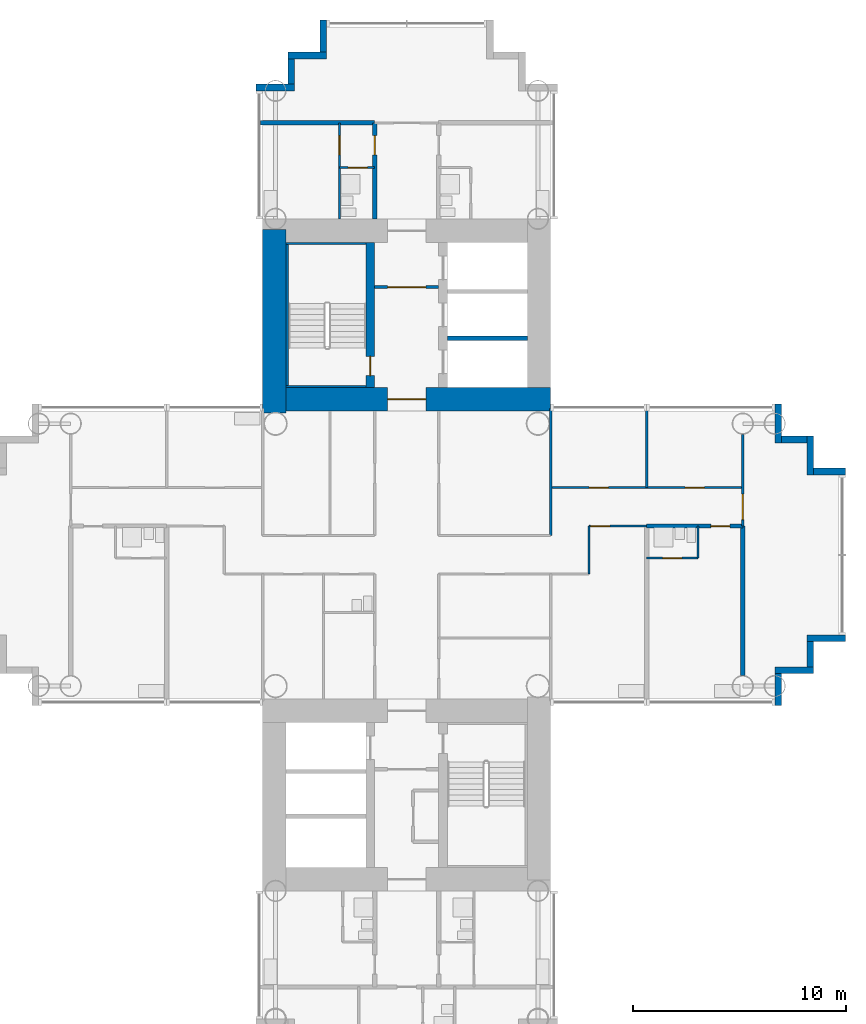
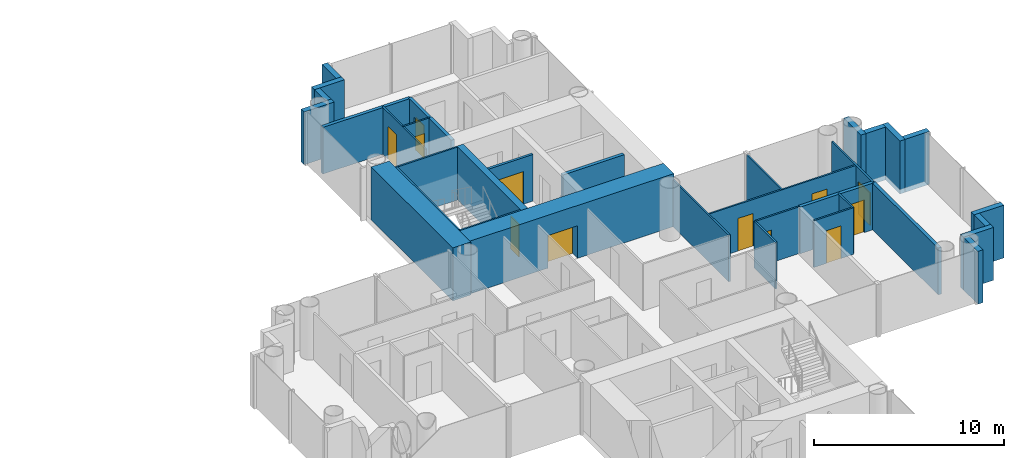
# One storey, part 14 of 21: 34 walls, 12 doors, 12 openings.
"""IFC4 building model written with IfcOpenShell, lengths in metres."""

from ifc_helpers import new_model, si_unit, direction, frame, frame_2d, origin, place, context, subcontext, project, spatial, rectangle, extrude, material, layer, layer_set, type_object, element, fill, save


model = new_model("IFC4")

# Units and contexts
model_context = context("Model", 3, precision=1e-05, world=origin(), true_north=direction((0.0, 1.0)))
body_context = subcontext(model_context, "Body", "Model", "MODEL_VIEW")
ifc_project = project(units=[si_unit("LENGTHUNIT", "METRE"), si_unit("AREAUNIT", "SQUARE_METRE"), si_unit("VOLUMEUNIT", "CUBIC_METRE"), si_unit("PLANEANGLEUNIT", "RADIAN"), si_unit("MASSUNIT", "GRAM", prefix="KILO")], contexts=[model_context])

# Site, building, storey
site_placement = place(None, origin())
site = spatial("IfcSite", under=ifc_project, at=site_placement, CompositionType="ELEMENT")
building_placement = place(site_placement, origin())
building = spatial("IfcBuilding", under=site, at=building_placement, Name="Ipe Terrace Towers", CompositionType="ELEMENT")
storey_placement = place(building_placement, frame((0.0, 0.0, 48.300048828125)))
storey = spatial("IfcBuildingStorey", under=building, at=storey_placement, Name="L12", CompositionType="ELEMENT", Elevation=48.300048828125)

# Walls
ifc_material_1 = material(Name="Concrete C40/50 with buff precast cladding", Category="concrete")
ifc_layer_1 = layer(ifc_material_1, 0.320068359375)
ifc_layer_set_1 = layer_set([ifc_layer_1], Name="BUFF CLADDING WALL 320")
wall_type_1 = type_object("IfcWallType", Name="BUFF CLADDING WALL 320", PredefinedType="STANDARD", material=ifc_layer_set_1)
wall_1_placement = place(storey_placement, frame((53.409912109375, -7.070068359375, -0.300048828125), z_axis=(0.0, 0.0, 1.0), x_axis=(0.0, 1.0, 0.0)))
element("IfcWall", 1, at=wall_1_placement, inside=storey, type_object=wall_type_1, Name="T2-W-L12-08a wall", PredefinedType="STANDARD", context=body_context, shape_type="SweptSolid", body=[
    extrude(rectangle(XDim=1.5, YDim=0.320068359375, at=frame_2d((0.75, 0.0))), origin(), (0.0, 0.0, 1.0), 3.39990234375),
])
wall_2_placement = place(storey_placement, frame((53.25, -5.409912109375, -0.300048828125), z_axis=(0.0, 0.0, 1.0), x_axis=(1.0, 0.0, 0.0)))
element("IfcWall", 2, at=wall_2_placement, inside=storey, type_object=wall_type_1, Name="T2-W-L12-09a wall", PredefinedType="STANDARD", context=body_context, shape_type="SweptSolid", body=[
    extrude(rectangle(XDim=1.820068359375, YDim=0.320068359375, at=frame_2d((0.91015625, 0.0))), origin(), (0.0, 0.0, 1.0), 3.39990234375),
])
wall_3_placement = place(storey_placement, frame((54.909912109375, -5.25, -0.300048828125), z_axis=(0.0, 0.0, 1.0), x_axis=(0.0, 1.0, 0.0)))
element("IfcWall", 3, at=wall_3_placement, inside=storey, type_object=wall_type_1, Name="T2-W-L12-10a wall", PredefinedType="STANDARD", context=body_context, shape_type="SweptSolid", body=[
    extrude(rectangle(XDim=1.179931640625, YDim=0.320068359375, at=frame_2d((0.58984375, 0.0))), origin(), (0.0, 0.0, 1.0), 3.39990234375),
])
wall_4_placement = place(storey_placement, frame((54.75, -3.909912109375, -0.300048828125), z_axis=(0.0, 0.0, 1.0), x_axis=(1.0, 0.0, 0.0)))
element("IfcWall", 4, at=wall_4_placement, inside=storey, type_object=wall_type_1, Name="T2-W-L12-11a wall", PredefinedType="STANDARD", context=body_context, shape_type="SweptSolid", body=[
    extrude(rectangle(XDim=1.820068359375, YDim=0.320068359375, at=frame_2d((0.91015625, 0.0))), origin(), (0.0, 0.0, 1.0), 3.39990234375),
])
wall_5_placement = place(storey_placement, frame((56.570068359375, 3.909912109375, -0.300048828125), z_axis=(0.0, 0.0, 1.0), x_axis=(-1.0, 0.0, 0.0)))
element("IfcWall", 5, at=wall_5_placement, inside=storey, type_object=wall_type_1, Name="T2-W-L12-13a wall", PredefinedType="STANDARD", context=body_context, shape_type="SweptSolid", body=[
    extrude(rectangle(XDim=1.5, YDim=0.320068359375, at=frame_2d((0.75, 0.0))), origin(), (0.0, 0.0, 1.0), 3.39990234375),
])
wall_6_placement = place(storey_placement, frame((54.909912109375, 3.75, -0.300048828125), z_axis=(0.0, 0.0, 1.0), x_axis=(0.0, 1.0, 0.0)))
element("IfcWall", 6, at=wall_6_placement, inside=storey, type_object=wall_type_1, Name="T2-W-L12-14a wall", PredefinedType="STANDARD", context=body_context, shape_type="SweptSolid", body=[
    extrude(rectangle(XDim=1.820068359375, YDim=0.320068359375, at=frame_2d((0.91015625, 0.0))), origin(), (0.0, 0.0, 1.0), 3.39990234375),
])
wall_7_placement = place(storey_placement, frame((54.75, 5.409912109375, -0.300048828125), z_axis=(0.0, 0.0, 1.0), x_axis=(-1.0, 0.0, 0.0)))
element("IfcWall", 7, at=wall_7_placement, inside=storey, type_object=wall_type_1, Name="T2-W-L12-15a wall", PredefinedType="STANDARD", context=body_context, shape_type="SweptSolid", body=[
    extrude(rectangle(XDim=1.179931640625, YDim=0.320068359375, at=frame_2d((0.58984375, 0.0))), origin(), (0.0, 0.0, 1.0), 3.39990234375),
])
wall_8_placement = place(storey_placement, frame((53.409912109375, 5.25, -0.300048828125), z_axis=(0.0, 0.0, 1.0), x_axis=(0.0, 1.0, 0.0)))
element("IfcWall", 8, at=wall_8_placement, inside=storey, type_object=wall_type_1, Name="T2-W-L12-16a wall", PredefinedType="STANDARD", context=body_context, shape_type="SweptSolid", body=[
    extrude(rectangle(XDim=1.820068359375, YDim=0.320068359375, at=frame_2d((0.91015625, 0.0))), origin(), (0.0, 0.0, 1.0), 3.39990234375),
])
wall_9_placement = place(storey_placement, frame((32.090087890625, 25.070068359375, -0.300048828125), z_axis=(0.0, 0.0, 1.0), x_axis=(0.0, -1.0, 0.0)))
element("IfcWall", 9, at=wall_9_placement, inside=storey, type_object=wall_type_1, Name="T2-W-L12-26a wall", PredefinedType="STANDARD", context=body_context, shape_type="SweptSolid", body=[
    extrude(rectangle(XDim=1.5, YDim=0.320068359375, at=frame_2d((0.75, 0.0))), origin(), (0.0, 0.0, 1.0), 3.39990234375),
])
wall_10_placement = place(storey_placement, frame((32.25, 23.409912109375, -0.300048828125), z_axis=(0.0, 0.0, 1.0), x_axis=(-1.0, 0.0, 0.0)))
element("IfcWall", 10, at=wall_10_placement, inside=storey, type_object=wall_type_1, Name="T2-W-L12-27a wall", PredefinedType="STANDARD", context=body_context, shape_type="SweptSolid", body=[
    extrude(rectangle(XDim=1.820068359375, YDim=0.320068359375, at=frame_2d((0.91015625, 0.0))), origin(), (0.0, 0.0, 1.0), 3.39990234375),
])
wall_11_placement = place(storey_placement, frame((30.590087890625, 23.25, -0.300048828125), z_axis=(0.0, 0.0, 1.0), x_axis=(0.0, -1.0, 0.0)))
element("IfcWall", 11, at=wall_11_placement, inside=storey, type_object=wall_type_1, Name="T2-W-L12-28a wall", PredefinedType="STANDARD", context=body_context, shape_type="SweptSolid", body=[
    extrude(rectangle(XDim=1.179931640625, YDim=0.320068359375, at=frame_2d((0.58984375, 0.0))), origin(), (0.0, 0.0, 1.0), 3.39990234375),
])
wall_12_placement = place(storey_placement, frame((30.75, 21.909912109375, -0.300048828125), z_axis=(0.0, 0.0, 1.0), x_axis=(-1.0, 0.0, 0.0)))
element("IfcWall", 12, at=wall_12_placement, inside=storey, type_object=wall_type_1, Name="T2-W-L12-29a wall", PredefinedType="STANDARD", context=body_context, shape_type="SweptSolid", body=[
    extrude(rectangle(XDim=1.820068359375, YDim=0.320068359375, at=frame_2d((0.91015625, 0.0))), origin(), (0.0, 0.0, 1.0), 3.39990234375),
])

# Wall, opening, door
ifc_material_2 = material(Name="Gypsum board partition", Category="plasterboard")
ifc_layer_2 = layer(ifc_material_2, 0.10009765625)
ifc_layer_set_2 = layer_set([ifc_layer_2], Name="Gypsum board partition 100 mm")
wall_type_2 = type_object("IfcWallType", Name="Gypsum board partition 100 mm", PredefinedType="PARTITIONING", material=ifc_layer_set_2)
wall_13_placement = place(storey_placement, frame((49.64990234375, -0.14990234375, 0.0), z_axis=(0.0, 0.0, 1.0), x_axis=(-1.0, 0.0, 0.0)))
wall_13 = element("IfcWall", 13, at=wall_13_placement, inside=storey, type_object=wall_type_2, Name="Gypsum board partition T2 L12 W09", PredefinedType="PARTITIONING", context=body_context, shape_type="SweptSolid", body=[
    extrude(rectangle(XDim=2.39990234375, YDim=0.10009765625, at=frame_2d((1.199951171875, 0.0))), origin(), (0.0, 0.0, 1.0), 3.0),
])
opening_1_placement = place(wall_13_placement, frame((0.75, 0.0, 0.0)))
opening_1 = element("IfcOpeningElement", 14, at=opening_1_placement, cuts=wall_13, Name="Opening T2-Z1C-19", PredefinedType="OPENING", context=body_context, shape_type="SweptSolid", body=[
    extrude(rectangle(XDim=0.89990234375, YDim=2.10009765625, at=frame_2d((0.449951171875, 1.050048828125))), frame((0.0, 0.06005859375, 0.0), z_axis=(0.0, -1.0, 0.0), x_axis=(1.0, 0.0, 0.0)), (0.0, 0.0, 1.0), 0.1201171875),
])
ifc_material_3 = material(Name="Timber door leaf", Category="wood")
door_type_1 = type_object("IfcDoorType", Name="Bathroom door 900 x 2100", OperationType="NOTDEFINED", PredefinedType="DOOR", material=ifc_material_3)
door_1_placement = place(opening_1_placement, origin())
door_1 = element("IfcDoor", 15, at=door_1_placement, inside=storey, type_object=door_type_1, Name="Bathroom door T2-Z1C-19", OperationType="SINGLE_SWING_RIGHT", OverallHeight=2.10009765625, OverallWidth=0.89990234375, PredefinedType="DOOR", context=body_context, shape_type="SweptSolid", body=[
    extrude(rectangle(XDim=0.89990234375, YDim=2.10009765625, at=frame_2d((0.449951171875, 1.050048828125))), frame((0.0, 0.02490234375, 0.0), z_axis=(0.0, -1.0, 0.0), x_axis=(1.0, 0.0, 0.0)), (0.0, 0.0, 1.0), 0.050048828125),
])
fill(opening_1, door_1)

wall_14_placement = place(storey_placement, frame((47.25, 1.35009765625, 0.0), z_axis=(0.0, 0.0, 1.0), x_axis=(-1.0, 0.0, 0.0)))
wall_14 = element("IfcWall", 16, at=wall_14_placement, inside=storey, type_object=wall_type_2, Name="Gypsum board partition T2 L12 W13", PredefinedType="PARTITIONING", context=body_context, shape_type="SweptSolid", body=[
    extrude(rectangle(XDim=2.699951171875, YDim=0.10009765625, at=frame_2d((1.35009765625, 0.0))), origin(), (0.0, 0.0, 1.0), 3.0),
])
opening_2_placement = place(wall_14_placement, frame((1.72998046875, 0.0, 0.0)))
opening_2 = element("IfcOpeningElement", 17, at=opening_2_placement, cuts=wall_14, Name="Opening T2-Z1C-17", PredefinedType="OPENING", context=body_context, shape_type="SweptSolid", body=[
    extrude(rectangle(XDim=0.89990234375, YDim=2.10009765625, at=frame_2d((0.449951171875, 1.050048828125))), frame((0.0, 0.06005859375, 0.0), z_axis=(0.0, -1.0, 0.0), x_axis=(1.0, 0.0, 0.0)), (0.0, 0.0, 1.0), 0.1201171875),
])
ifc_material_4 = material(Name="Timber door leaf", Category="wood")
door_type_2 = type_object("IfcDoorType", Name="Lounge door 900 x 2100", OperationType="NOTDEFINED", PredefinedType="DOOR", material=ifc_material_4)
door_2_placement = place(opening_2_placement, origin())
door_2 = element("IfcDoor", 18, at=door_2_placement, inside=storey, type_object=door_type_2, Name="Lounge door T2-Z1C-17", OperationType="SINGLE_SWING_LEFT", OverallHeight=2.10009765625, OverallWidth=0.89990234375, PredefinedType="DOOR", context=body_context, shape_type="SweptSolid", body=[
    extrude(rectangle(XDim=0.89990234375, YDim=2.10009765625, at=frame_2d((0.449951171875, 1.050048828125))), frame((0.0, 0.02490234375, 0.0), z_axis=(0.0, -1.0, 0.0), x_axis=(1.0, 0.0, 0.0)), (0.0, 0.0, 1.0), 0.050048828125),
])
fill(opening_2, door_2)

# Wall, openings, doors
wall_15_placement = place(storey_placement, frame((51.75, 3.14990234375, 0.0), z_axis=(0.0, 0.0, 1.0), x_axis=(-1.0, 0.0, 0.0)))
wall_15 = element("IfcWall", 19, at=wall_15_placement, inside=storey, type_object=wall_type_2, Name="Gypsum board partition T2 L12 W17", PredefinedType="PARTITIONING", context=body_context, shape_type="SweptSolid", body=[
    extrude(rectangle(XDim=9.0, YDim=0.10009765625, at=frame_2d((4.5, 0.0))), origin(), (0.0, 0.0, 1.0), 3.0),
])
opening_3_placement = place(wall_15_placement, frame((6.300048828125, 0.0, 0.0)))
opening_3 = element("IfcOpeningElement", 20, at=opening_3_placement, cuts=wall_15, Name="Opening T2-Z1C-15", PredefinedType="OPENING", context=body_context, shape_type="SweptSolid", body=[
    extrude(rectangle(XDim=0.89990234375, YDim=2.10009765625, at=frame_2d((0.449951171875, 1.050048828125))), frame((0.0, 0.06005859375, 0.0), z_axis=(0.0, -1.0, 0.0), x_axis=(1.0, 0.0, 0.0)), (0.0, 0.0, 1.0), 0.1201171875),
])
opening_4_placement = place(wall_15_placement, frame((1.800048828125, 0.0, 0.0)))
opening_4 = element("IfcOpeningElement", 21, at=opening_4_placement, cuts=wall_15, Name="Opening T2-Z1C-16", PredefinedType="OPENING", context=body_context, shape_type="SweptSolid", body=[
    extrude(rectangle(XDim=0.89990234375, YDim=2.10009765625, at=frame_2d((0.449951171875, 1.050048828125))), frame((0.0, 0.06005859375, 0.0), z_axis=(0.0, -1.0, 0.0), x_axis=(1.0, 0.0, 0.0)), (0.0, 0.0, 1.0), 0.1201171875),
])
door_3_placement = place(opening_3_placement, origin())
door_3 = element("IfcDoor", 22, at=door_3_placement, inside=storey, type_object=door_type_2, Name="Lounge door T2-Z1C-15", OperationType="SINGLE_SWING_RIGHT", OverallHeight=2.10009765625, OverallWidth=0.89990234375, PredefinedType="DOOR", context=body_context, shape_type="SweptSolid", body=[
    extrude(rectangle(XDim=0.89990234375, YDim=2.10009765625, at=frame_2d((0.449951171875, 1.050048828125))), frame((0.0, 0.02490234375, 0.0), z_axis=(0.0, -1.0, 0.0), x_axis=(1.0, 0.0, 0.0)), (0.0, 0.0, 1.0), 0.050048828125),
])
fill(opening_3, door_3)
door_4_placement = place(opening_4_placement, origin())
door_4 = element("IfcDoor", 23, at=door_4_placement, inside=storey, type_object=door_type_2, Name="Lounge door T2-Z1C-16", OperationType="SINGLE_SWING_LEFT", OverallHeight=2.10009765625, OverallWidth=0.89990234375, PredefinedType="DOOR", context=body_context, shape_type="SweptSolid", body=[
    extrude(rectangle(XDim=0.89990234375, YDim=2.10009765625, at=frame_2d((0.449951171875, 1.050048828125))), frame((0.0, 0.02490234375, 0.0), z_axis=(0.0, -1.0, 0.0), x_axis=(1.0, 0.0, 0.0)), (0.0, 0.0, 1.0), 0.050048828125),
])
fill(opening_4, door_4)

# Wall, opening, door
wall_16_placement = place(storey_placement, frame((34.5, 18.14990234375, 0.0), z_axis=(0.0, 0.0, 1.0), x_axis=(-1.0, 0.0, 0.0)))
wall_16 = element("IfcWall", 24, at=wall_16_placement, inside=storey, type_object=wall_type_2, Name="Gypsum board partition T2 L12 W20", PredefinedType="PARTITIONING", context=body_context, shape_type="SweptSolid", body=[
    extrude(rectangle(XDim=1.64990234375, YDim=0.10009765625, at=frame_2d((0.824951171875, 0.0))), origin(), (0.0, 0.0, 1.0), 3.0),
])
opening_5_placement = place(wall_16_placement, frame((0.35009765625, 0.0, 0.0)))
opening_5 = element("IfcOpeningElement", 25, at=opening_5_placement, cuts=wall_16, Name="Opening T2-Z1C-23", PredefinedType="OPENING", context=body_context, shape_type="SweptSolid", body=[
    extrude(rectangle(XDim=0.89990234375, YDim=2.10009765625, at=frame_2d((0.449951171875, 1.050048828125))), frame((0.0, 0.06005859375, 0.0), z_axis=(0.0, -1.0, 0.0), x_axis=(1.0, 0.0, 0.0)), (0.0, 0.0, 1.0), 0.1201171875),
])
door_5_placement = place(opening_5_placement, origin())
door_5 = element("IfcDoor", 26, at=door_5_placement, inside=storey, type_object=door_type_1, Name="Bathroom door T2-Z1C-23", OperationType="SINGLE_SWING_RIGHT", OverallHeight=2.10009765625, OverallWidth=0.89990234375, PredefinedType="DOOR", context=body_context, shape_type="SweptSolid", body=[
    extrude(rectangle(XDim=0.89990234375, YDim=2.10009765625, at=frame_2d((0.449951171875, 1.050048828125))), frame((0.0, 0.02490234375, 0.0), z_axis=(0.0, -1.0, 0.0), x_axis=(1.0, 0.0, 0.0)), (0.0, 0.0, 1.0), 0.050048828125),
])
fill(opening_5, door_5)

wall_17_placement = place(storey_placement, frame((51.75, 1.35009765625, 0.0), z_axis=(0.0, 0.0, 1.0), x_axis=(0.0, 1.0, 0.0)))
wall_17 = element("IfcWall", 27, at=wall_17_placement, inside=storey, type_object=wall_type_2, Name="Gypsum board partition T2 L12 W24", PredefinedType="PARTITIONING", context=body_context, shape_type="SweptSolid", body=[
    extrude(rectangle(XDim=4.2998046875, YDim=0.10009765625, at=frame_2d((2.14990234375, 0.0))), origin(), (0.0, 0.0, 1.0), 3.0),
])
opening_6_placement = place(wall_17_placement, frame((0.300048828125, 0.0, 0.0)))
opening_6 = element("IfcOpeningElement", 28, at=opening_6_placement, cuts=wall_17, Name="Opening T2-Z1C-20", PredefinedType="OPENING", context=body_context, shape_type="SweptSolid", body=[
    extrude(rectangle(XDim=1.199951171875, YDim=2.10009765625, at=frame_2d((0.60009765625, 1.050048828125))), frame((0.0, 0.06005859375, 0.0), z_axis=(0.0, -1.0, 0.0), x_axis=(1.0, 0.0, 0.0)), (0.0, 0.0, 1.0), 0.1201171875),
])
ifc_material_5 = material(Name="Timber door leaf", Category="wood")
door_type_3 = type_object("IfcDoorType", Name="Lounge door 1200 x 2100", OperationType="NOTDEFINED", PredefinedType="DOOR", material=ifc_material_5)
door_6_placement = place(opening_6_placement, origin())
door_6 = element("IfcDoor", 29, at=door_6_placement, inside=storey, type_object=door_type_3, Name="Lounge door T2-Z1C-20", OperationType="SINGLE_SWING_LEFT", OverallHeight=2.10009765625, OverallWidth=1.199951171875, PredefinedType="DOOR", context=body_context, shape_type="SweptSolid", body=[
    extrude(rectangle(XDim=1.199951171875, YDim=2.10009765625, at=frame_2d((0.60009765625, 1.050048828125))), frame((0.0, 0.02490234375, 0.0), z_axis=(0.0, -1.0, 0.0), x_axis=(1.0, 0.0, 0.0)), (0.0, 0.0, 1.0), 0.050048828125),
])
fill(opening_6, door_6)

# Walls
wall_18_placement = place(storey_placement, frame((49.64990234375, -0.14990234375, 0.0), z_axis=(0.0, 0.0, 1.0), x_axis=(0.0, 1.0, 0.0)))
element("IfcWall", 30, at=wall_18_placement, inside=storey, type_object=wall_type_2, Name="Gypsum board partition T2 L12 W26", PredefinedType="PARTITIONING", context=body_context, shape_type="SweptSolid", body=[
    extrude(rectangle(XDim=1.5, YDim=0.10009765625, at=frame_2d((0.75, 0.0))), origin(), (0.0, 0.0, 1.0), 3.0),
])
wall_19_placement = place(storey_placement, frame((47.25, 3.14990234375, 0.0), z_axis=(0.0, 0.0, 1.0), x_axis=(0.0, 1.0, 0.0)))
element("IfcWall", 31, at=wall_19_placement, inside=storey, type_object=wall_type_2, Name="Gypsum board partition T2 L12 W27", PredefinedType="PARTITIONING", context=body_context, shape_type="SweptSolid", body=[
    extrude(rectangle(XDim=3.7001953125, YDim=0.10009765625, at=frame_2d((1.85009765625, 0.0))), origin(), (0.0, 0.0, 1.0), 3.0),
])
wall_20_placement = place(storey_placement, frame((44.550048828125, -0.89990234375, 0.0), z_axis=(0.0, 0.0, 1.0), x_axis=(0.0, 1.0, 0.0)))
element("IfcWall", 32, at=wall_20_placement, inside=storey, type_object=wall_type_2, Name="Gypsum board partition T2 L12 W29", PredefinedType="PARTITIONING", context=body_context, shape_type="SweptSolid", body=[
    extrude(rectangle(XDim=2.25, YDim=0.10009765625, at=frame_2d((1.125, 0.0))), origin(), (0.0, 0.0, 1.0), 3.0),
])
wall_21_placement = place(storey_placement, frame((42.75, 0.89990234375, 0.0), z_axis=(0.0, 0.0, 1.0), x_axis=(0.0, 1.0, 0.0)))
element("IfcWall", 33, at=wall_21_placement, inside=storey, type_object=wall_type_2, Name="Gypsum board partition T2 L12 W31", PredefinedType="PARTITIONING", context=body_context, shape_type="SweptSolid", body=[
    extrude(rectangle(XDim=5.9501953125, YDim=0.10009765625, at=frame_2d((2.97509765625, 0.0))), origin(), (0.0, 0.0, 1.0), 3.0),
])

# Wall, opening, door
wall_22_placement = place(storey_placement, frame((32.85009765625, 15.75, 0.0), z_axis=(0.0, 0.0, 1.0), x_axis=(0.0, 1.0, 0.0)))
wall_22 = element("IfcWall", 34, at=wall_22_placement, inside=storey, type_object=wall_type_2, Name="Gypsum board partition T2 L12 W46", PredefinedType="PARTITIONING", context=body_context, shape_type="SweptSolid", body=[
    extrude(rectangle(XDim=4.5, YDim=0.10009765625, at=frame_2d((2.25, 0.0))), origin(), (0.0, 0.0, 1.0), 3.0),
])
opening_7_placement = place(wall_22_placement, frame((3.0, 0.0, 0.0)))
opening_7 = element("IfcOpeningElement", 35, at=opening_7_placement, cuts=wall_22, Name="Opening T2-Z1C-22", PredefinedType="OPENING", context=body_context, shape_type="SweptSolid", body=[
    extrude(rectangle(XDim=0.89990234375, YDim=2.10009765625, at=frame_2d((0.449951171875, 1.050048828125))), frame((0.0, 0.06005859375, 0.0), z_axis=(0.0, -1.0, 0.0), x_axis=(1.0, 0.0, 0.0)), (0.0, 0.0, 1.0), 0.1201171875),
])
ifc_material_6 = material(Name="Timber door leaf", Category="wood")
door_type_4 = type_object("IfcDoorType", Name="Bedroom door 900 x 2100", OperationType="NOTDEFINED", PredefinedType="DOOR", material=ifc_material_6)
door_7_placement = place(opening_7_placement, origin())
door_7 = element("IfcDoor", 36, at=door_7_placement, inside=storey, type_object=door_type_4, Name="Bedroom door T2-Z1C-22", OperationType="SINGLE_SWING_LEFT", OverallHeight=2.10009765625, OverallWidth=0.89990234375, PredefinedType="DOOR", context=body_context, shape_type="SweptSolid", body=[
    extrude(rectangle(XDim=0.89990234375, YDim=2.10009765625, at=frame_2d((0.449951171875, 1.050048828125))), frame((0.0, 0.02490234375, 0.0), z_axis=(0.0, -1.0, 0.0), x_axis=(1.0, 0.0, 0.0)), (0.0, 0.0, 1.0), 0.050048828125),
])
fill(opening_7, door_7)

ifc_material_7 = material(Name="Gypsum board partition", Category="plasterboard")
ifc_layer_3 = layer(ifc_material_7, 0.14990234375)
ifc_layer_set_3 = layer_set([ifc_layer_3], Name="Gypsum board partition 150 mm")
wall_type_3 = type_object("IfcWallType", Name="Gypsum board partition 150 mm", PredefinedType="PARTITIONING", material=ifc_layer_set_3)
wall_23_placement = place(storey_placement, frame((37.5, 12.550048828125, 0.0), z_axis=(0.0, 0.0, 1.0), x_axis=(-1.0, 0.0, 0.0)))
wall_23 = element("IfcWall", 37, at=wall_23_placement, inside=storey, type_object=wall_type_3, Name="Gypsum board partition T2 L12 t2c1-lobby-wall", PredefinedType="PARTITIONING", context=body_context, shape_type="SweptSolid", body=[
    extrude(rectangle(XDim=3.0, YDim=0.14990234375, at=frame_2d((1.5, 0.0))), origin(), (0.0, 0.0, 1.0), 3.0),
])
opening_8_placement = place(wall_23_placement, frame((0.60009765625, 0.0, 0.0)))
opening_8 = element("IfcOpeningElement", 38, at=opening_8_placement, cuts=wall_23, Name="Opening T2C1-VD", PredefinedType="OPENING", context=body_context, shape_type="SweptSolid", body=[
    extrude(rectangle(XDim=1.800048828125, YDim=2.10009765625, at=frame_2d((0.89990234375, 1.050048828125))), frame((0.0, 0.0849609375, 0.0), z_axis=(0.0, -1.0, 0.0), x_axis=(1.0, 0.0, 0.0)), (0.0, 0.0, 1.0), 0.169921875),
])
ifc_material_8 = material(Name="Fire-rated timber door leaf", Category="wood")
door_type_5 = type_object("IfcDoorType", Name="Lobby door 1800 x 2100 FD60", OperationType="NOTDEFINED", PredefinedType="DOOR", material=ifc_material_8)
door_8_placement = place(opening_8_placement, origin())
door_8 = element("IfcDoor", 39, at=door_8_placement, inside=storey, type_object=door_type_5, Name="Lobby door T2C1-VD", OperationType="SINGLE_SWING_LEFT", OverallHeight=2.10009765625, OverallWidth=1.800048828125, PredefinedType="DOOR", context=body_context, shape_type="SweptSolid", body=[
    extrude(rectangle(XDim=1.800048828125, YDim=2.10009765625, at=frame_2d((0.89990234375, 1.050048828125))), frame((0.0, 0.02490234375, 0.0), z_axis=(0.0, -1.0, 0.0), x_axis=(1.0, 0.0, 0.0)), (0.0, 0.0, 1.0), 0.050048828125),
])
fill(opening_8, door_8)

# Wall
ifc_material_9 = material(Name="Gypsum board party wall", Category="plasterboard")
ifc_layer_4 = layer(ifc_material_9, 0.199951171875)
ifc_layer_set_4 = layer_set([ifc_layer_4], Name="Gypsum board party wall 200 mm")
wall_type_4 = type_object("IfcWallType", Name="Gypsum board party wall 200 mm", PredefinedType="SOLIDWALL", material=ifc_layer_set_4)
wall_24_placement = place(storey_placement, frame((41.64990234375, 10.14990234375, 0.0), z_axis=(0.0, 0.0, 1.0), x_axis=(-1.0, 0.0, 0.0)))
element("IfcWall", 40, at=wall_24_placement, inside=storey, type_object=wall_type_4, Name="Gypsum board party wall T2 L12 t2c1-shaft-div1", PredefinedType="SOLIDWALL", context=body_context, shape_type="SweptSolid", body=[
    extrude(rectangle(XDim=3.75, YDim=0.199951171875, at=frame_2d((1.875, 0.0))), origin(), (0.0, 0.0, 1.0), 3.0),
])

# Wall, opening, door
wall_25_placement = place(storey_placement, frame((51.75, 1.35009765625, 0.0), z_axis=(0.0, 0.0, 1.0), x_axis=(-1.0, 0.0, 0.0)))
wall_25 = element("IfcWall", 41, at=wall_25_placement, inside=storey, type_object=wall_type_4, Name="Gypsum board party wall T2 L12 W15", PredefinedType="SOLIDWALL", context=body_context, shape_type="SweptSolid", body=[
    extrude(rectangle(XDim=4.5, YDim=0.199951171875, at=frame_2d((2.25, 0.0))), origin(), (0.0, 0.0, 1.0), 3.0),
])
opening_9_placement = place(wall_25_placement, frame((0.60009765625, 0.0, 0.0)))
opening_9 = element("IfcOpeningElement", 42, at=opening_9_placement, cuts=wall_25, Name="Opening T2-Z1C-18", PredefinedType="OPENING", context=body_context, shape_type="SweptSolid", body=[
    extrude(rectangle(XDim=0.89990234375, YDim=2.10009765625, at=frame_2d((0.449951171875, 1.050048828125))), frame((0.0, 0.10986328125, 0.0), z_axis=(0.0, -1.0, 0.0), x_axis=(1.0, 0.0, 0.0)), (0.0, 0.0, 1.0), 0.219970703125),
])
ifc_material_10 = material(Name="Fire-rated timber door leaf", Category="wood")
door_type_6 = type_object("IfcDoorType", Name="Flat entrance door 900 x 2100 FD30S", OperationType="NOTDEFINED", PredefinedType="DOOR", material=ifc_material_10)
door_9_placement = place(opening_9_placement, origin())
door_9 = element("IfcDoor", 43, at=door_9_placement, inside=storey, type_object=door_type_6, Name="Flat entrance door T2-Z1C-18", OperationType="SINGLE_SWING_RIGHT", OverallHeight=2.10009765625, OverallWidth=0.89990234375, PredefinedType="DOOR", context=body_context, shape_type="SweptSolid", body=[
    extrude(rectangle(XDim=0.89990234375, YDim=2.10009765625, at=frame_2d((0.449951171875, 1.050048828125))), frame((0.0, 0.02490234375, 0.0), z_axis=(0.0, -1.0, 0.0), x_axis=(1.0, 0.0, 0.0)), (0.0, 0.0, 1.0), 0.050048828125),
])
fill(opening_9, door_9)

# Walls
wall_26_placement = place(storey_placement, frame((34.5, 20.25, 0.0), z_axis=(0.0, 0.0, 1.0), x_axis=(-1.0, 0.0, 0.0)))
element("IfcWall", 44, at=wall_26_placement, inside=storey, type_object=wall_type_4, Name="Gypsum board party wall T2 L12 W23", PredefinedType="SOLIDWALL", context=body_context, shape_type="SweptSolid", body=[
    extrude(rectangle(XDim=5.35009765625, YDim=0.199951171875, at=frame_2d((2.675048828125, 0.0))), origin(), (0.0, 0.0, 1.0), 3.0),
])
wall_27_placement = place(storey_placement, frame((51.75, -5.64990234375, 0.0), z_axis=(0.0, 0.0, 1.0), x_axis=(0.0, 1.0, 0.0)))
element("IfcWall", 45, at=wall_27_placement, inside=storey, type_object=wall_type_4, Name="Gypsum board party wall T2 L12 W25", PredefinedType="SOLIDWALL", context=body_context, shape_type="SweptSolid", body=[
    extrude(rectangle(XDim=7.0, YDim=0.199951171875, at=frame_2d((3.5, 0.0))), origin(), (0.0, 0.0, 1.0), 3.0),
])

# Wall, opening, door
wall_28_placement = place(storey_placement, frame((34.5, 15.75, 0.0), z_axis=(0.0, 0.0, 1.0), x_axis=(0.0, 1.0, 0.0)))
wall_28 = element("IfcWall", 46, at=wall_28_placement, inside=storey, type_object=wall_type_4, Name="Gypsum board party wall T2 L12 W43", PredefinedType="SOLIDWALL", context=body_context, shape_type="SweptSolid", body=[
    extrude(rectangle(XDim=4.5, YDim=0.199951171875, at=frame_2d((2.25, 0.0))), origin(), (0.0, 0.0, 1.0), 3.0),
])
opening_10_placement = place(wall_28_placement, frame((3.0, 0.0, 0.0)))
opening_10 = element("IfcOpeningElement", 47, at=opening_10_placement, cuts=wall_28, Name="Opening T2-Z1C-21", PredefinedType="OPENING", context=body_context, shape_type="SweptSolid", body=[
    extrude(rectangle(XDim=0.89990234375, YDim=2.10009765625, at=frame_2d((0.449951171875, 1.050048828125))), frame((0.0, 0.10986328125, 0.0), z_axis=(0.0, -1.0, 0.0), x_axis=(1.0, 0.0, 0.0)), (0.0, 0.0, 1.0), 0.219970703125),
])
door_10_placement = place(opening_10_placement, origin())
door_10 = element("IfcDoor", 48, at=door_10_placement, inside=storey, type_object=door_type_6, Name="Flat entrance door T2-Z1C-21", OperationType="SINGLE_SWING_LEFT", OverallHeight=2.10009765625, OverallWidth=0.89990234375, PredefinedType="DOOR", context=body_context, shape_type="SweptSolid", body=[
    extrude(rectangle(XDim=0.89990234375, YDim=2.10009765625, at=frame_2d((0.449951171875, 1.050048828125))), frame((0.0, 0.02490234375, 0.0), z_axis=(0.0, -1.0, 0.0), x_axis=(1.0, 0.0, 0.0)), (0.0, 0.0, 1.0), 0.050048828125),
])
fill(opening_10, door_10)

# Walls
ifc_material_11 = material(Name="Concrete C60/75", Category="concrete")
ifc_layer_5 = layer(ifc_material_11, 0.10009765625)
ifc_layer_set_5 = layer_set([ifc_layer_5], Name="RW100 CORE INFILL WALL 100 C60-75")
wall_type_5 = type_object("IfcWallType", Name="RW100 CORE INFILL WALL 100 C60-75", PredefinedType="SHEAR", material=ifc_layer_set_5)
wall_29_placement = place(storey_placement, frame((34.10009765625, 14.60009765625, 0.0), z_axis=(0.0, 0.0, 1.0), x_axis=(-1.0, 0.0, 0.0)))
element("IfcWall", 49, at=wall_29_placement, inside=storey, type_object=wall_type_5, Name="Core infill wall T2-C1-far", PredefinedType="SHEAR", context=body_context, shape_type="SweptSolid", body=[
    extrude(rectangle(XDim=3.75, YDim=0.10009765625, at=frame_2d((1.875, 0.0))), origin(), (0.0, 0.0, 1.0), 3.39990234375),
])
wall_30_placement = place(storey_placement, frame((30.39990234375, 7.949951171875, 0.0), z_axis=(0.0, 0.0, 1.0), x_axis=(0.0, 1.0, 0.0)))
element("IfcWall", 50, at=wall_30_placement, inside=storey, type_object=wall_type_5, Name="Core infill wall T2-C1-back", PredefinedType="SHEAR", context=body_context, shape_type="SweptSolid", body=[
    extrude(rectangle(XDim=6.60009765625, YDim=0.10009765625, at=frame_2d((3.300048828125, 0.0))), origin(), (0.0, 0.0, 1.0), 3.39990234375),
])
wall_31_placement = place(storey_placement, frame((34.10009765625, 7.89990234375, 0.0), z_axis=(0.0, 0.0, 1.0), x_axis=(-1.0, 0.0, 0.0)))
element("IfcWall", 51, at=wall_31_placement, inside=storey, type_object=wall_type_5, Name="Core infill wall T2-C1-near", PredefinedType="SHEAR", context=body_context, shape_type="SweptSolid", body=[
    extrude(rectangle(XDim=3.75, YDim=0.10009765625, at=frame_2d((1.875, 0.0))), origin(), (0.0, 0.0, 1.0), 3.39990234375),
])

# Wall, opening, door
ifc_material_12 = material(Name="Concrete C60/75", Category="concrete")
ifc_layer_6 = layer(ifc_material_12, 1.10009765625)
ifc_layer_set_6 = layer_set([ifc_layer_6], Name="RW1100 CORE WALL 1100 C60-75")
wall_type_6 = type_object("IfcWallType", Name="RW1100 CORE WALL 1100 C60-75", PredefinedType="SHEAR", material=ifc_layer_set_6)
wall_32_placement = place(storey_placement, frame((30.35009765625, 7.300048828125, 0.0), z_axis=(0.0, 0.0, 1.0), x_axis=(1.0, 0.0, 0.0)))
wall_32 = element("IfcWall", 52, at=wall_32_placement, inside=storey, type_object=wall_type_6, Name="Core wall T2-C1-Z1-W01", PredefinedType="SHEAR", context=body_context, shape_type="SweptSolid", body=[
    extrude(rectangle(XDim=12.39990234375, YDim=1.10009765625, at=frame_2d((6.199951171875, 0.0))), origin(), (0.0, 0.0, 1.0), 3.39990234375),
])
opening_11_placement = place(wall_32_placement, frame((4.75, 0.0, 0.0)))
opening_11 = element("IfcOpeningElement", 53, at=opening_11_placement, cuts=wall_32, Name="Opening T2C1-ND", PredefinedType="OPENING", context=body_context, shape_type="SweptSolid", body=[
    extrude(rectangle(XDim=1.800048828125, YDim=2.10009765625, at=frame_2d((0.89990234375, 1.050048828125))), frame((0.0, 0.56005859375, 0.0), z_axis=(0.0, -1.0, 0.0), x_axis=(1.0, 0.0, 0.0)), (0.0, 0.0, 1.0), 1.1201171875),
])
ifc_material_13 = material(Name="Fire-rated timber door leaf", Category="wood")
door_type_7 = type_object("IfcDoorType", Name="Fire door 1800 x 2100 FD30S", OperationType="NOTDEFINED", PredefinedType="DOOR", material=ifc_material_13)
door_11_placement = place(opening_11_placement, origin())
door_11 = element("IfcDoor", 54, at=door_11_placement, inside=storey, type_object=door_type_7, Name="Fire door T2C1-ND", OperationType="SINGLE_SWING_LEFT", OverallHeight=2.10009765625, OverallWidth=1.800048828125, PredefinedType="DOOR", context=body_context, shape_type="SweptSolid", body=[
    extrude(rectangle(XDim=1.800048828125, YDim=2.10009765625, at=frame_2d((0.89990234375, 1.050048828125))), frame((0.0, 0.02490234375, 0.0), z_axis=(0.0, -1.0, 0.0), x_axis=(1.0, 0.0, 0.0)), (0.0, 0.0, 1.0), 0.050048828125),
])
fill(opening_11, door_11)

# Wall
wall_33_placement = place(storey_placement, frame((29.800048828125, 15.248046875, 0.0), z_axis=(0.0, 0.0, 1.0), x_axis=(0.0, -1.0, 0.0)))
element("IfcWall", 55, at=wall_33_placement, inside=storey, type_object=wall_type_6, Name="Core wall T2-C1-Z1-W04", PredefinedType="SHEAR", context=body_context, shape_type="SweptSolid", body=[
    extrude(rectangle(XDim=8.595947265625, YDim=1.10009765625, at=frame_2d((4.2978515625, 0.0))), origin(), (0.0, 0.0, 1.0), 3.39990234375),
])

# Wall, opening, door
ifc_material_14 = material(Name="Concrete C60/75", Category="concrete")
ifc_layer_7 = layer(ifc_material_14, 0.39990234375)
ifc_layer_set_7 = layer_set([ifc_layer_7], Name="RW400 CORE SPINE WALL 400 C60-75")
wall_type_7 = type_object("IfcWallType", Name="RW400 CORE SPINE WALL 400 C60-75", PredefinedType="SHEAR", material=ifc_layer_set_7)
wall_34_placement = place(storey_placement, frame((34.300048828125, 7.85009765625, 0.0), z_axis=(0.0, 0.0, 1.0), x_axis=(0.0, 1.0, 0.0)))
wall_34 = element("IfcWall", 56, at=wall_34_placement, inside=storey, type_object=wall_type_7, Name="Core spine wall T2-C1-Z1-SW1", PredefinedType="SHEAR", context=body_context, shape_type="SweptSolid", body=[
    extrude(rectangle(XDim=6.7998046875, YDim=0.39990234375, at=frame_2d((3.39990234375, 0.0))), origin(), (0.0, 0.0, 1.0), 3.39990234375),
])
opening_12_placement = place(wall_34_placement, frame((0.550048828125, 0.0, 0.0)))
opening_12 = element("IfcOpeningElement", 57, at=opening_12_placement, cuts=wall_34, Name="Opening T2C1-SD", PredefinedType="OPENING", context=body_context, shape_type="SweptSolid", body=[
    extrude(rectangle(XDim=0.89990234375, YDim=2.10009765625, at=frame_2d((0.449951171875, 1.050048828125))), frame((0.0, 0.2099609375, 0.0), z_axis=(0.0, -1.0, 0.0), x_axis=(1.0, 0.0, 0.0)), (0.0, 0.0, 1.0), 0.419921875),
])
ifc_material_15 = material(Name="Fire-rated timber door leaf", Category="wood")
door_type_8 = type_object("IfcDoorType", Name="Stair door 900 x 2100 FD60", OperationType="NOTDEFINED", PredefinedType="DOOR", material=ifc_material_15)
door_12_placement = place(opening_12_placement, origin())
door_12 = element("IfcDoor", 58, at=door_12_placement, inside=storey, type_object=door_type_8, Name="Stair door T2C1-SD", OperationType="SINGLE_SWING_LEFT", OverallHeight=2.10009765625, OverallWidth=0.89990234375, PredefinedType="DOOR", context=body_context, shape_type="SweptSolid", body=[
    extrude(rectangle(XDim=0.89990234375, YDim=2.10009765625, at=frame_2d((0.449951171875, 1.050048828125))), frame((0.0, 0.02490234375, 0.0), z_axis=(0.0, -1.0, 0.0), x_axis=(1.0, 0.0, 0.0)), (0.0, 0.0, 1.0), 0.050048828125),
])
fill(opening_12, door_12)

save(model, "model.ifc")
